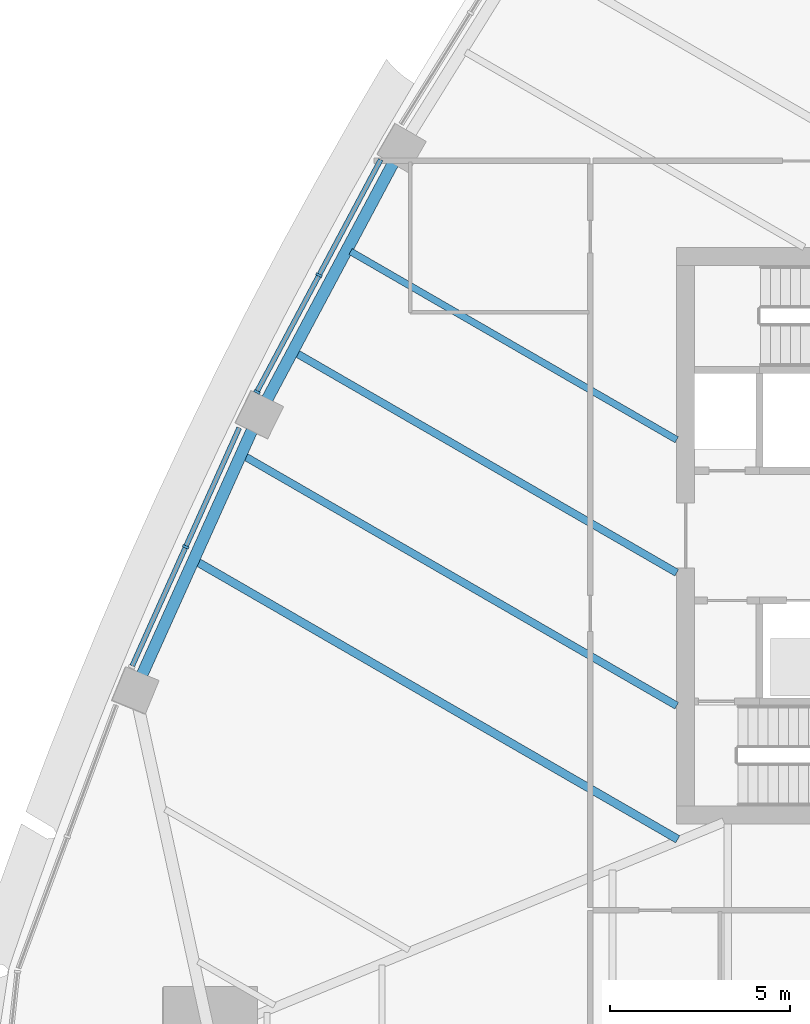
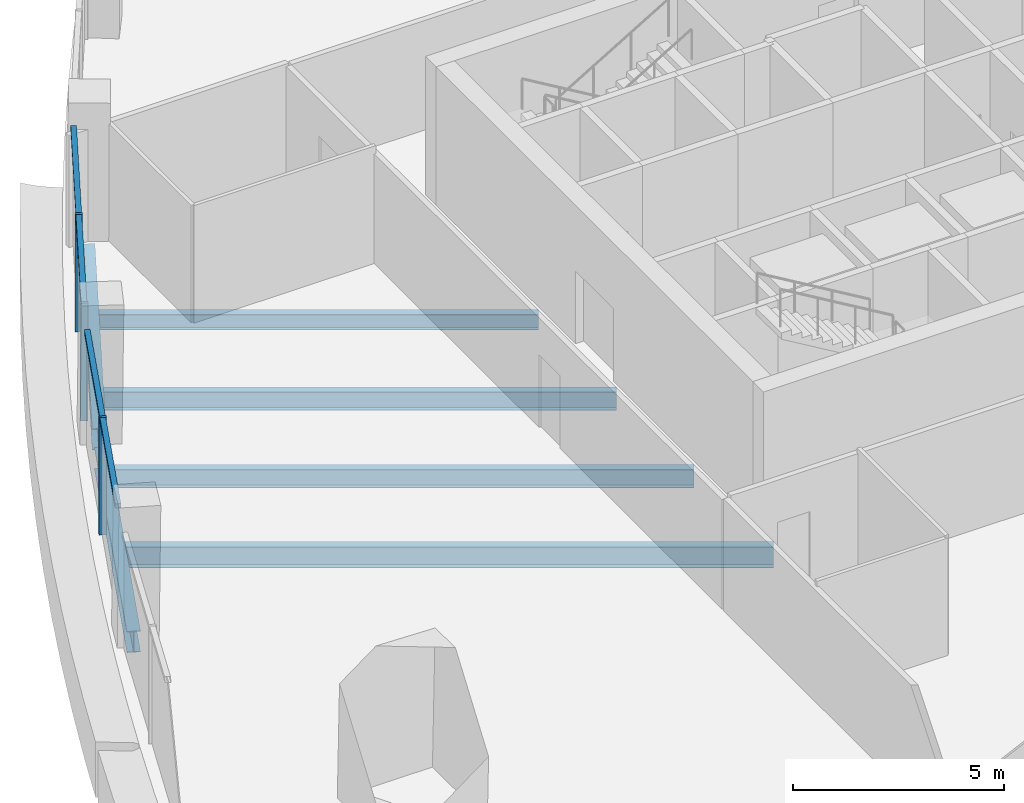
# One storey, part 3 of 16: 7 members, 6 beams, 2 elements without a shape of their own.
"""IFC4 building model written with IfcOpenShell, lengths in metres."""

from ifc_helpers import new_model, si_unit, direction, frame, origin, origin_2d, place, context, subcontext, project, spatial, rectangle, i_section, extrude, material, layer, layer_set, material_profile, profile_set, type_object, element, aggregate, save


model = new_model("IFC4")

# Units and contexts
model_context = context("Model", 3, precision=1e-05, world=origin(), true_north=direction((0.0, 1.0)))
body_context = subcontext(model_context, "Body", "Model", "MODEL_VIEW")
ifc_project = project(units=[si_unit("LENGTHUNIT", "METRE"), si_unit("AREAUNIT", "SQUARE_METRE"), si_unit("VOLUMEUNIT", "CUBIC_METRE"), si_unit("PLANEANGLEUNIT", "RADIAN"), si_unit("MASSUNIT", "GRAM", prefix="KILO")], contexts=[model_context])

# Site, building, storey
site_placement = place(None, origin())
site = spatial("IfcSite", under=ifc_project, at=site_placement, CompositionType="ELEMENT")
building_placement = place(site_placement, origin())
building = spatial("IfcBuilding", under=site, at=building_placement, Name="Sierra Prisma Convention Tower", CompositionType="ELEMENT")
storey_placement = place(building_placement, frame((0.0, 0.0, 165.800048828125)))
storey = spatial("IfcBuildingStorey", under=building, at=storey_placement, Name="L36", CompositionType="ELEMENT", Elevation=165.800048828125)

# Curtain wall, members
ifc_material_1 = material(Name="Aluminium and glass curtain wall", Category="aluminium")
ifc_layer = layer(ifc_material_1, 0.179931640625)
ifc_layer_set = layer_set([ifc_layer], Name="CW-1 Plain shaft curtain wall")
curtain_wall_type = type_object("IfcCurtainWallType", Name="CW-1 Plain shaft curtain wall", PredefinedType="NOTDEFINED", material=ifc_layer_set)
curtain_wall_1_placement = place(storey_placement, origin())
curtain_wall_1 = element("IfcCurtainWall", 1, at=curtain_wall_1_placement, inside=storey, type_object=curtain_wall_type, Name="CW-1 NW4 L36", PredefinedType="NOTDEFINED")
ifc_material_2 = material(Name="Aluminium 6063-T6 bronze anodised", Category="aluminium")
ifc_material_profile_1 = material_profile(ifc_material_2, rectangle(XDim=0.179931640625, YDim=0.070068359375, at=origin_2d()), Name="ALU MULLION 70x180")
ifc_profile_set_1 = profile_set([ifc_material_profile_1], Name="Aluminium 6063-T6 bronze anodised")
member_type_1 = type_object("IfcMemberType", Name="CW mullion bronze", PredefinedType="MULLION", material=ifc_profile_set_1)
member_1_placement = place(storey_placement, frame((-20.92578125, 7.229248046875, 0.0), z_axis=(0.0, 0.0, 1.0), x_axis=(0.882377911693, -0.470541412583, 0.0)))
member_1 = element("IfcMember", 2, at=member_1_placement, type_object=member_type_1, Name="CW-1 mullion NW4.2", PredefinedType="MULLION", context=body_context, shape_type="SweptSolid", body=[
    extrude(rectangle(XDim=0.179931640625, YDim=0.070068359375, at=origin_2d()), origin(), (0.0, 0.0, 1.0), 3.39990234375),
])
member_2_placement = place(storey_placement, frame((-22.65234375, 3.991455078125, 0.0), z_axis=(0.0, 0.0, 1.0), x_axis=(0.882377911693, -0.470541412583, 0.0)))
member_2 = element("IfcMember", 3, at=member_2_placement, type_object=member_type_1, Name="CW-1 mullion NW4.3", PredefinedType="MULLION", context=body_context, shape_type="SweptSolid", body=[
    extrude(rectangle(XDim=0.179931640625, YDim=0.070068359375, at=origin_2d()), origin(), (0.0, 0.0, 1.0), 3.39990234375),
])

# Curtain wall, member
curtain_wall_2_placement = place(storey_placement, origin())
curtain_wall_2 = element("IfcCurtainWall", 4, at=curtain_wall_2_placement, inside=storey, type_object=curtain_wall_type, Name="CW-1 NW5 L36", PredefinedType="NOTDEFINED")
member_3_placement = place(storey_placement, frame((-24.62744140625, -0.311767578125, 0.0), z_axis=(0.0, 0.0, 1.0), x_axis=(0.912060440737, -0.410055791866, 0.0)))
member_3 = element("IfcMember", 5, at=member_3_placement, type_object=member_type_1, Name="CW-1 mullion NW5.2", PredefinedType="MULLION", context=body_context, shape_type="SweptSolid", body=[
    extrude(rectangle(XDim=0.179931640625, YDim=0.070068359375, at=origin_2d()), origin(), (0.0, 0.0, 1.0), 3.39990234375),
])

# Member
ifc_material_3 = material(Name="Aluminium 6063-T6 bronze anodised", Category="aluminium")
ifc_material_profile_2 = material_profile(ifc_material_3, rectangle(XDim=0.139892578125, YDim=0.1201171875, at=origin_2d()), Name="ALU TRANSOM 120x140")
ifc_profile_set_2 = profile_set([ifc_material_profile_2], Name="Aluminium 6063-T6 bronze anodised")
member_type_2 = type_object("IfcMemberType", Name="CW transom bronze", PredefinedType="USERDEFINED", material=ifc_profile_set_2)
member_4_placement = place(storey_placement, frame((-19.215576171875, 10.436279296875, 3.33984375), z_axis=(-0.470581194452, -0.882356696256, 0.0), x_axis=(0.882356696256, -0.470581194452, 0.0)))
member_4 = element("IfcMember", 6, at=member_4_placement, type_object=member_type_2, Name="CW-1 transom NW4.1", ObjectType="TRANSOM", PredefinedType="USERDEFINED", context=body_context, shape_type="SweptSolid", body=[
    extrude(rectangle(XDim=0.139892578125, YDim=0.1201171875, at=origin_2d()), origin(), (0.0, 0.0, 1.0), 3.599365234375),
])

member_5_placement = place(storey_placement, frame((-20.942138671875, 7.198486328125, 3.33984375), z_axis=(-0.470581194452, -0.882356696256, 0.0), x_axis=(0.882356696256, -0.470581194452, 0.0)))
member_5 = element("IfcMember", 7, at=member_5_placement, type_object=member_type_2, Name="CW-1 transom NW4.2", ObjectType="TRANSOM", PredefinedType="USERDEFINED", context=body_context, shape_type="SweptSolid", body=[
    extrude(rectangle(XDim=0.139892578125, YDim=0.1201171875, at=origin_2d()), origin(), (0.0, 0.0, 1.0), 3.599365234375),
])

aggregate(curtain_wall_1, [member_1, member_2, member_4, member_5])

member_6_placement = place(storey_placement, frame((-23.143798828125, 2.988525390625, 3.33984375), z_axis=(-0.41007287409, -0.9120527605, 0.0), x_axis=(0.9120527605, -0.41007287409, 0.0)))
member_6 = element("IfcMember", 8, at=member_6_placement, type_object=member_type_2, Name="CW-1 transom NW5.1", ObjectType="TRANSOM", PredefinedType="USERDEFINED", context=body_context, shape_type="SweptSolid", body=[
    extrude(rectangle(XDim=0.139892578125, YDim=0.1201171875, at=origin_2d()), origin(), (0.0, 0.0, 1.0), 3.58349609375),
])

member_7_placement = place(storey_placement, frame((-24.641845703125, -0.34375, 3.33984375), z_axis=(-0.410098356586, -0.912041302752, 0.0), x_axis=(0.912041302752, -0.410098356586, 0.0)))
member_7 = element("IfcMember", 9, at=member_7_placement, type_object=member_type_2, Name="CW-1 transom NW5.2", ObjectType="TRANSOM", PredefinedType="USERDEFINED", context=body_context, shape_type="SweptSolid", body=[
    extrude(rectangle(XDim=0.139892578125, YDim=0.1201171875, at=origin_2d()), origin(), (0.0, 0.0, 1.0), 3.583251953125),
])

aggregate(curtain_wall_2, [member_3, member_6, member_7])

# Beams
ifc_material_4 = material(Name="Steel ASTM A992 Gr 50", Category="steel")
ifc_material_profile_3 = material_profile(ifc_material_4, i_section(OverallWidth=0.18994140625, OverallDepth=0.45703125, WebThickness=0.009033203125, FlangeThickness=0.014404296875, at=origin_2d()), Name="W460x74")
ifc_profile_set_3 = profile_set([ifc_material_profile_3], Name="Steel ASTM A992 Gr 50")
beam_type_1 = type_object("IfcBeamType", Name="Floor joist W460x74", PredefinedType="JOIST", material=ifc_profile_set_3)
beam_1_placement = place(storey_placement, frame((-20.051513671875, 7.88623046875, -0.378662109375), z_axis=(0.866017931367, -0.500012942383, 0.0), x_axis=(0.500012942383, 0.866017931367, 0.0)))
element("IfcBeam", 10, at=beam_1_placement, inside=storey, type_object=beam_type_1, Name="Floor joist L36 NW09", PredefinedType="JOIST", context=body_context, shape_type="SweptSolid", body=[
    extrude(i_section(OverallWidth=0.18994140625, OverallDepth=0.45703125, WebThickness=0.009033203125, FlangeThickness=0.014404296875, at=origin_2d()), origin(), (0.0, 0.0, 1.0), 10.451904296875),
])
ifc_material_5 = material(Name="Steel ASTM A992 Gr 50", Category="steel")
ifc_material_profile_4 = material_profile(ifc_material_5, i_section(OverallWidth=0.208984375, OverallDepth=0.532958984375, WebThickness=0.01025390625, FlangeThickness=0.015625, at=origin_2d()), Name="W530x92")
ifc_profile_set_4 = profile_set([ifc_material_profile_4], Name="Steel ASTM A992 Gr 50")
beam_type_2 = type_object("IfcBeamType", Name="Floor joist W530x92", PredefinedType="JOIST", material=ifc_profile_set_4)
beam_2_placement = place(storey_placement, frame((-21.556396484375, 5.064208984375, -0.41650390625), z_axis=(0.866025822586, -0.499999274614, 0.0), x_axis=(0.499999274614, 0.866025822586, 0.0)))
element("IfcBeam", 11, at=beam_2_placement, inside=storey, type_object=beam_type_2, Name="Floor joist L36 NW10", PredefinedType="JOIST", context=body_context, shape_type="SweptSolid", body=[
    extrude(i_section(OverallWidth=0.208984375, OverallDepth=0.532958984375, WebThickness=0.01025390625, FlangeThickness=0.015625, at=origin_2d()), origin(), (0.0, 0.0, 1.0), 12.189453125),
])
beam_3_placement = place(storey_placement, frame((-22.990478515625, 2.20166015625, -0.41650390625), z_axis=(0.866020851292, -0.500007885066, 0.0), x_axis=(0.500007885066, 0.866020851292, 0.0)))
element("IfcBeam", 12, at=beam_3_placement, inside=storey, type_object=beam_type_2, Name="Floor joist L36 NW11", PredefinedType="JOIST", context=body_context, shape_type="SweptSolid", body=[
    extrude(i_section(OverallWidth=0.208984375, OverallDepth=0.532958984375, WebThickness=0.01025390625, FlangeThickness=0.015625, at=origin_2d()), origin(), (0.0, 0.0, 1.0), 13.845458984375),
])
ifc_material_6 = material(Name="Steel ASTM A992 Gr 50", Category="steel")
ifc_material_profile_5 = material_profile(ifc_material_6, i_section(OverallWidth=0.22802734375, OverallDepth=0.60302734375, WebThickness=0.010498046875, FlangeThickness=0.014892578125, at=origin_2d()), Name="W610x101")
ifc_profile_set_5 = profile_set([ifc_material_profile_5], Name="Steel ASTM A992 Gr 50")
beam_type_3 = type_object("IfcBeamType", Name="Floor joist W610x101", PredefinedType="JOIST", material=ifc_profile_set_5)
beam_4_placement = place(storey_placement, frame((-24.307861328125, -0.728515625, -0.45166015625), z_axis=(0.866026647085, -0.499997846535, 0.0), x_axis=(0.499997846535, 0.866026647085, 0.0)))
element("IfcBeam", 13, at=beam_4_placement, inside=storey, type_object=beam_type_3, Name="Floor joist L36 NW12", PredefinedType="JOIST", context=body_context, shape_type="SweptSolid", body=[
    extrude(i_section(OverallWidth=0.22802734375, OverallDepth=0.60302734375, WebThickness=0.010498046875, FlangeThickness=0.014892578125, at=origin_2d()), origin(), (0.0, 0.0, 1.0), 15.39892578125),
])
ifc_material_7 = material(Name="Steel ASTM A992 Gr 50", Category="steel")
ifc_material_profile_6 = material_profile(ifc_material_7, i_section(OverallWidth=0.324951171875, OverallDepth=0.615966796875, WebThickness=0.013916015625, FlangeThickness=0.021484375, at=origin_2d()), Name="W610x174")
ifc_profile_set_6 = profile_set([ifc_material_profile_6], Name="Steel ASTM A992 Gr 50")
beam_type_4 = type_object("IfcBeamType", Name="Spandrel beam W610x174", PredefinedType="BEAM", material=ifc_profile_set_6)
beam_5_placement = place(storey_placement, frame((-18.8232421875, 10.4287109375, -0.4580078125), z_axis=(-0.470548414823, -0.882374177607, 0.0), x_axis=(0.882374177607, -0.470548414823, 0.0)))
element("IfcBeam", 14, at=beam_5_placement, inside=storey, type_object=beam_type_4, Name="Spandrel L36-16", PredefinedType="BEAM", context=body_context, shape_type="SweptSolid", body=[
    extrude(i_section(OverallWidth=0.324951171875, OverallDepth=0.615966796875, WebThickness=0.013916015625, FlangeThickness=0.021484375, at=origin_2d()), origin(), (0.0, 0.0, 1.0), 7.637451171875),
])
beam_6_placement = place(storey_placement, frame((-22.751953125, 3.00732421875, -0.4580078125), z_axis=(-0.41004697136, -0.912064406321, 0.0), x_axis=(0.912064406321, -0.41004697136, 0.0)))
element("IfcBeam", 15, at=beam_6_placement, inside=storey, type_object=beam_type_4, Name="Spandrel L36-17", PredefinedType="BEAM", context=body_context, shape_type="SweptSolid", body=[
    extrude(i_section(OverallWidth=0.324951171875, OverallDepth=0.615966796875, WebThickness=0.013916015625, FlangeThickness=0.021484375, at=origin_2d()), origin(), (0.0, 0.0, 1.0), 7.63720703125),
])

save(model, "model.ifc")
